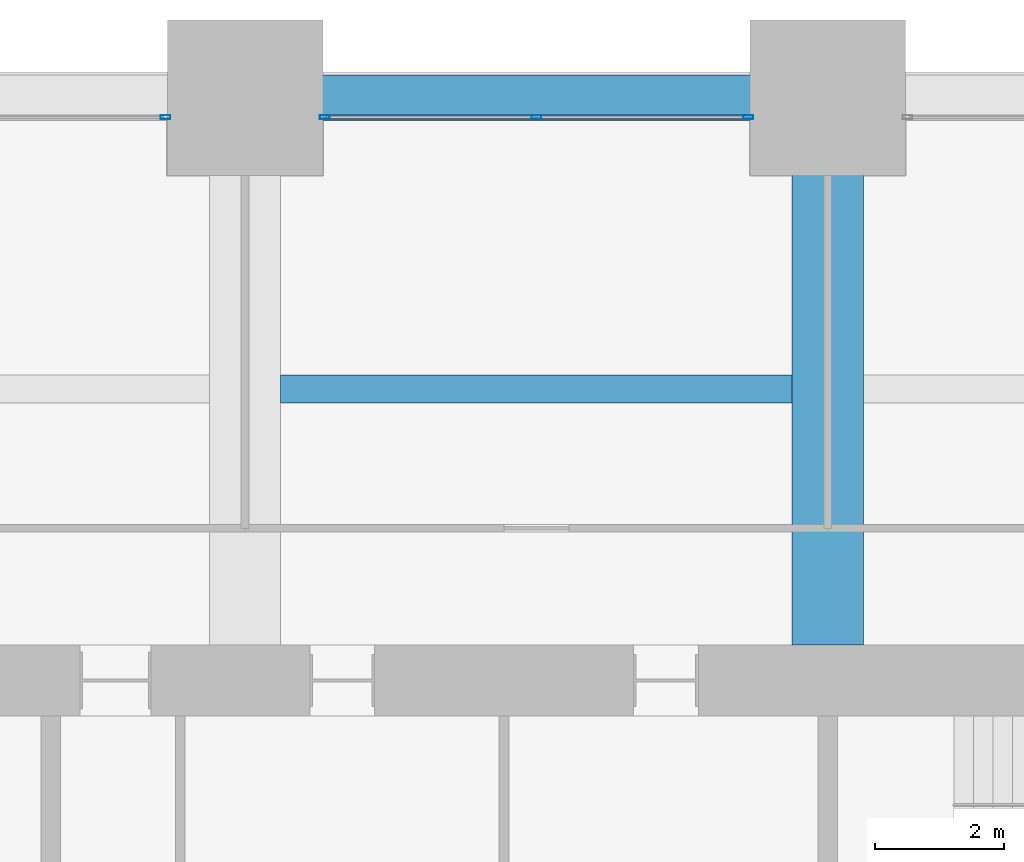
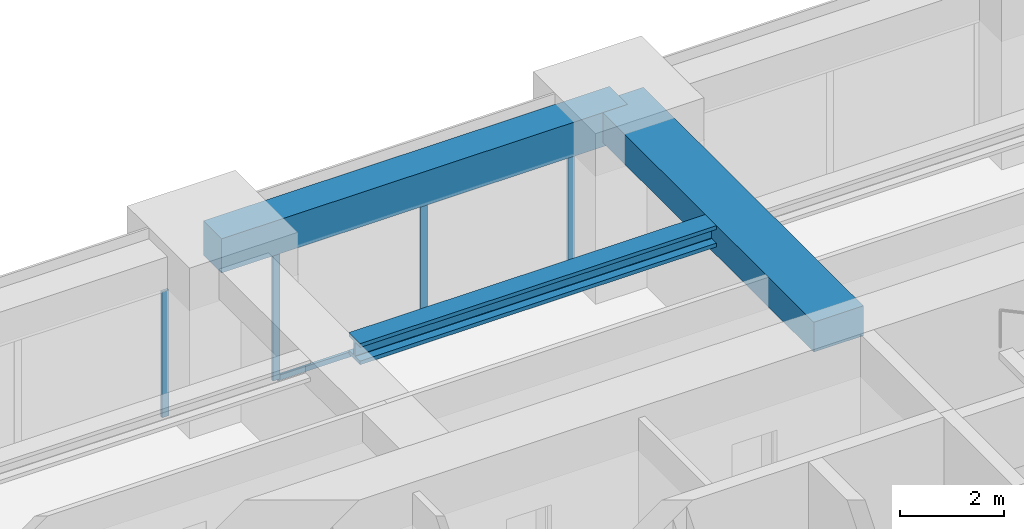
# One storey, part 29 of 39: 5 members, 3 beams, 2 elements without a shape of their own.
"""IFC4 building model written with IfcOpenShell, lengths in metres."""

from ifc_helpers import new_model, si_unit, direction, frame, origin, origin_2d, place, context, subcontext, project, spatial, rectangle, hollow_rectangle, i_section, extrude, material, material_profile, profile_set, type_object, element, aggregate, save


model = new_model("IFC4")

# Units and contexts
model_context = context("Model", 3, precision=1e-05, world=origin(), true_north=direction((0.0, 1.0)))
body_context = subcontext(model_context, "Body", "Model", "MODEL_VIEW")
ifc_project = project(units=[si_unit("LENGTHUNIT", "METRE"), si_unit("AREAUNIT", "SQUARE_METRE"), si_unit("VOLUMEUNIT", "CUBIC_METRE"), si_unit("PLANEANGLEUNIT", "RADIAN"), si_unit("MASSUNIT", "GRAM", prefix="KILO")], contexts=[model_context])

# Site, building, storey
site_placement = place(None, origin())
site = spatial("IfcSite", under=ifc_project, at=site_placement, CompositionType="ELEMENT")
building_placement = place(site_placement, origin())
building = spatial("IfcBuilding", under=site, at=building_placement, Name="Zorevar Civic Tower", CompositionType="ELEMENT")
storey_placement = place(building_placement, frame((0.0, 0.0, 125.0)))
storey = spatial("IfcBuildingStorey", under=building, at=storey_placement, Name="L30", CompositionType="ELEMENT", Elevation=125.0)

# Beam
ifc_material_1 = material(Name="Concrete C50/60", Category="concrete")
ifc_material_profile_1 = material_profile(ifc_material_1, rectangle(XDim=1.10009765625, YDim=0.699951171875, at=origin_2d()), Name="RC 1100x700")
ifc_profile_set_1 = profile_set([ifc_material_profile_1], Name="Concrete C50/60")
beam_type_1 = type_object("IfcBeamType", Name="Beam RC 1100x700", PredefinedType="BEAM", material=ifc_profile_set_1)
beam_1_placement = place(storey_placement, frame((36.0, 36.550048828125, 3.39990234375), z_axis=(0.0, 1.0, 0.0), x_axis=(-1.0, 0.0, 0.0)))
element("IfcBeam", 1, at=beam_1_placement, inside=storey, type_object=beam_type_1, Name="Girder L31", PredefinedType="BEAM", context=body_context, shape_type="SweptSolid", body=[
    extrude(rectangle(XDim=1.10009765625, YDim=0.699951171875, at=origin_2d()), origin(), (0.0, 0.0, 1.0), 8.449951171875),
])

# Curtain wall, member
ifc_material_2 = material(Name="Dark grey solar-control glass in black aluminium frame", Category="aluminium")
curtain_wall_type = type_object("IfcCurtainWallType", Name="Curtain wall CW3 mid zone", PredefinedType="NOTDEFINED", material=ifc_material_2)
curtain_wall_1_placement = place(storey_placement, origin())
curtain_wall_1 = element("IfcCurtainWall", 2, at=curtain_wall_1_placement, inside=storey, type_object=curtain_wall_type, Name="CW3 L30", PredefinedType="NOTDEFINED")
ifc_material_3 = material(Name="Aluminium, black anodised", Category="aluminium")
ifc_material_profile_2 = material_profile(ifc_material_3, hollow_rectangle(XDim=0.06005859375, YDim=0.14990234375, WallThickness=0.00390625, at=origin_2d()), Name="AL 150x60x4")
ifc_profile_set_2 = profile_set([ifc_material_profile_2], Name="Aluminium, black anodised")
member_type_1 = type_object("IfcMemberType", Name="CW3 mullion AL 150x60x4", PredefinedType="MULLION", material=ifc_profile_set_2)
member_1_placement = place(storey_placement, frame((25.77001953125, 44.699951171875, 0.0), z_axis=(0.0, 0.0, 1.0), x_axis=(0.0, 1.0, 0.0)))
member_1 = element("IfcMember", 3, at=member_1_placement, type_object=member_type_1, Name="CW3 mullion 3", PredefinedType="MULLION", context=body_context, shape_type="SweptSolid", body=[
    extrude(hollow_rectangle(XDim=0.06005859375, YDim=0.14990234375, WallThickness=0.00390625, at=origin_2d()), origin(), (0.0, 0.0, 1.0), 2.949951171875),
])
aggregate(curtain_wall_1, [member_1])

# Curtain wall, members
curtain_wall_2_placement = place(storey_placement, origin())
curtain_wall_2 = element("IfcCurtainWall", 4, at=curtain_wall_2_placement, inside=storey, type_object=curtain_wall_type, Name="CW3 L30", PredefinedType="NOTDEFINED")
member_2_placement = place(storey_placement, frame((28.22998046875, 44.699951171875, 0.0), z_axis=(0.0, 0.0, 1.0), x_axis=(0.0, 1.0, 0.0)))
member_2 = element("IfcMember", 5, at=member_2_placement, type_object=member_type_1, Name="CW3 mullion 1", PredefinedType="MULLION", context=body_context, shape_type="SweptSolid", body=[
    extrude(hollow_rectangle(XDim=0.06005859375, YDim=0.14990234375, WallThickness=0.00390625, at=origin_2d()), origin(), (0.0, 0.0, 1.0), 2.949951171875),
])
member_3_placement = place(storey_placement, frame((31.5, 44.699951171875, 0.06005859375), z_axis=(0.0, 0.0, 1.0), x_axis=(0.0, 1.0, 0.0)))
member_3 = element("IfcMember", 6, at=member_3_placement, type_object=member_type_1, Name="CW3 mullion 2", PredefinedType="MULLION", context=body_context, shape_type="SweptSolid", body=[
    extrude(hollow_rectangle(XDim=0.06005859375, YDim=0.14990234375, WallThickness=0.00390625, at=origin_2d()), origin(), (0.0, 0.0, 1.0), 2.889892578125),
])
member_4_placement = place(storey_placement, frame((34.77001953125, 44.699951171875, 0.0), z_axis=(0.0, 0.0, 1.0), x_axis=(0.0, 1.0, 0.0)))
member_4 = element("IfcMember", 7, at=member_4_placement, type_object=member_type_1, Name="CW3 mullion 3", PredefinedType="MULLION", context=body_context, shape_type="SweptSolid", body=[
    extrude(hollow_rectangle(XDim=0.06005859375, YDim=0.14990234375, WallThickness=0.00390625, at=origin_2d()), origin(), (0.0, 0.0, 1.0), 2.949951171875),
])
ifc_material_4 = material(Name="Aluminium, black anodised", Category="aluminium")
ifc_material_profile_3 = material_profile(ifc_material_4, hollow_rectangle(XDim=0.06005859375, YDim=0.1201171875, WallThickness=0.0029296875, at=origin_2d()), Name="AL 120x60x3")
ifc_profile_set_3 = profile_set([ifc_material_profile_3], Name="Aluminium, black anodised")
member_type_2 = type_object("IfcMemberType", Name="CW3 transom AL 120x60x3", PredefinedType="USERDEFINED", material=ifc_profile_set_3)
member_5_placement = place(storey_placement, frame((28.260009765625, 44.699951171875, 0.030029296875), z_axis=(1.0, 0.0, 0.0), x_axis=(0.0, 1.0, 0.0)))
member_5 = element("IfcMember", 8, at=member_5_placement, type_object=member_type_2, Name="CW3 sill transom", ObjectType="TRANSOM", PredefinedType="USERDEFINED", context=body_context, shape_type="SweptSolid", body=[
    extrude(hollow_rectangle(XDim=0.06005859375, YDim=0.1201171875, WallThickness=0.0029296875, at=origin_2d()), origin(), (0.0, 0.0, 1.0), 6.47998046875),
])
aggregate(curtain_wall_2, [member_2, member_3, member_4, member_5])

# Beams
ifc_material_5 = material(Name="Steel S460M (HISTAR 460)", Category="steel")
ifc_material_profile_4 = material_profile(ifc_material_5, i_section(OverallWidth=0.431884765625, OverallDepth=0.498046875, WebThickness=0.0556640625, FlangeThickness=0.0888671875, FilletRadius=0.014892578125, at=origin_2d()), Name="HD 400x744")
ifc_profile_set_4 = profile_set([ifc_material_profile_4], Name="Steel S460M (HISTAR 460)")
beam_type_2 = type_object("IfcBeamType", Name="Core bay beam HD 400x744", PredefinedType="BEAM", material=ifc_profile_set_4)
beam_2_placement = place(storey_placement, frame((27.550048828125, 40.5, 3.5009765625), z_axis=(1.0, 0.0, 0.0), x_axis=(0.0, 1.0, 0.0)))
element("IfcBeam", 9, at=beam_2_placement, inside=storey, type_object=beam_type_2, Name="Secondary beam L31", PredefinedType="BEAM", context=body_context, shape_type="SweptSolid", body=[
    extrude(i_section(OverallWidth=0.431884765625, OverallDepth=0.498046875, WebThickness=0.0556640625, FlangeThickness=0.0888671875, FilletRadius=0.014892578125, at=origin_2d()), origin(), (0.0, 0.0, 1.0), 7.89990234375),
])
ifc_material_6 = material(Name="Concrete C50/60", Category="concrete")
ifc_material_profile_5 = material_profile(ifc_material_6, rectangle(XDim=0.699951171875, YDim=0.800048828125, at=origin_2d()), Name="RC 700x800")
ifc_profile_set_5 = profile_set([ifc_material_profile_5], Name="Concrete C50/60")
beam_type_3 = type_object("IfcBeamType", Name="Edge beam RC 700x800", PredefinedType="SPANDREL", material=ifc_profile_set_5)
beam_3_placement = place(storey_placement, frame((27.0, 45.0, 3.35009765625), z_axis=(1.0, 0.0, 0.0), x_axis=(0.0, 1.0, 0.0)))
element("IfcBeam", 10, at=beam_3_placement, inside=storey, type_object=beam_type_3, Name="Edge beam L31", PredefinedType="SPANDREL", context=body_context, shape_type="SweptSolid", body=[
    extrude(rectangle(XDim=0.699951171875, YDim=0.800048828125, at=origin_2d()), origin(), (0.0, 0.0, 1.0), 9.0),
])

save(model, "model.ifc")
